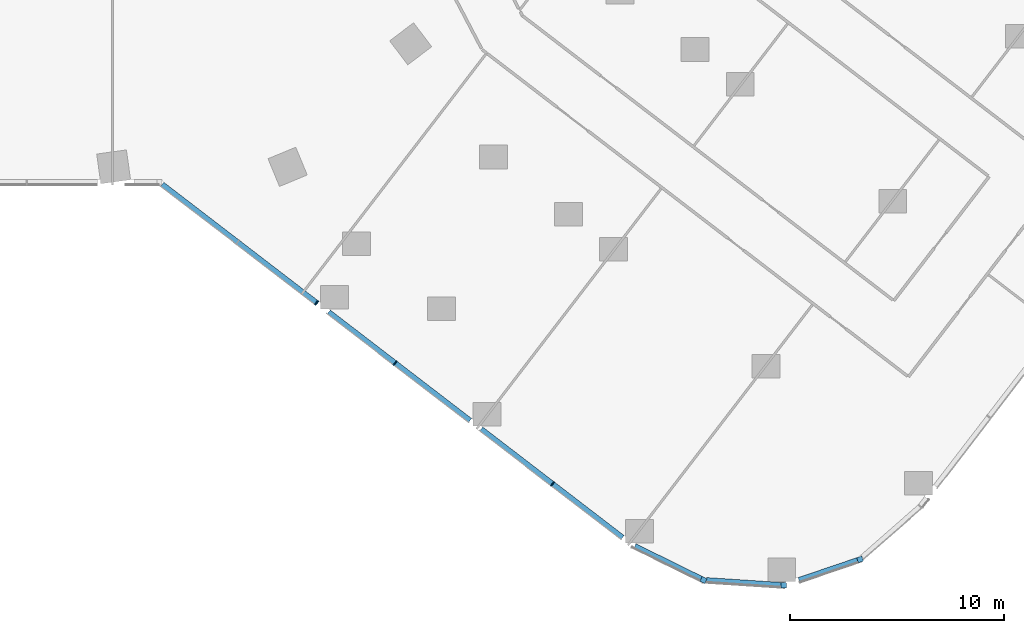
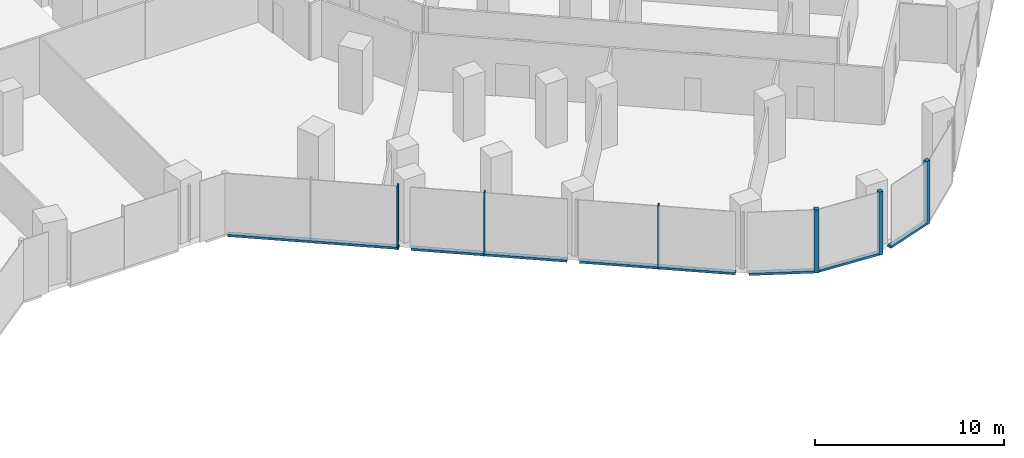
# One storey, part 6 of 29: 12 members, 4 elements without a shape of their own.
"""IFC4 building model written with IfcOpenShell, lengths in metres."""

from ifc_helpers import new_model, si_unit, direction, frame, origin, origin_2d, place, context, subcontext, project, spatial, rectangle, extrude, material, material_profile, profile_set, type_object, element, aggregate, save


model = new_model("IFC4")

# Units and contexts
model_context = context("Model", 3, precision=1e-05, world=origin(), true_north=direction((0.0, 1.0)))
body_context = subcontext(model_context, "Body", "Model", "MODEL_VIEW")
ifc_project = project(units=[si_unit("LENGTHUNIT", "METRE"), si_unit("AREAUNIT", "SQUARE_METRE"), si_unit("VOLUMEUNIT", "CUBIC_METRE"), si_unit("PLANEANGLEUNIT", "RADIAN"), si_unit("MASSUNIT", "GRAM", prefix="KILO")], contexts=[model_context])

# Site, building, storey
site_placement = place(None, origin())
site = spatial("IfcSite", under=ifc_project, at=site_placement, CompositionType="ELEMENT")
building_placement = place(site_placement, origin())
building = spatial("IfcBuilding", under=site, at=building_placement, Name="Orlundy Tower", CompositionType="ELEMENT")
storey_placement = place(building_placement, frame((0.0, 0.0, 29.199951171875)))
storey = spatial("IfcBuildingStorey", under=building, at=storey_placement, Name="L05", CompositionType="ELEMENT", Elevation=29.199951171875)

# Curtain wall, member
ifc_material_1 = material(Name="Aluminium bronze anodised", Category="aluminium")
curtain_wall_type = type_object("IfcCurtainWallType", Name="CW2 wall", PredefinedType="NOTDEFINED", material=ifc_material_1)
curtain_wall_1_placement = place(storey_placement, origin())
curtain_wall_1 = element("IfcCurtainWall", 1, at=curtain_wall_1_placement, inside=storey, type_object=curtain_wall_type, Name="CW2 run 025", PredefinedType="NOTDEFINED")
ifc_material_2 = material(Name="Aluminium bronze anodised", Category="aluminium")
ifc_material_profile_1 = material_profile(ifc_material_2, rectangle(XDim=0.25, YDim=0.25, at=origin_2d()), Name="CW2 corner post 250x250")
ifc_profile_set_1 = profile_set([ifc_material_profile_1], Name="Aluminium bronze anodised")
member_type_1 = type_object("IfcMemberType", Name="CW2 corner post 250x250", PredefinedType="MULLION", material=ifc_profile_set_1)
member_1_placement = place(storey_placement, frame((38.8828125, -47.71435546875, -0.39990234375), z_axis=(0.0, 0.0, 1.0), x_axis=(0.321564171921, -0.946887788144, 0.0)))
member_1 = element("IfcMember", 2, at=member_1_placement, type_object=member_type_1, Name="CW2 mullion 66", PredefinedType="MULLION", context=body_context, shape_type="SweptSolid", body=[
    extrude(rectangle(XDim=0.25, YDim=0.25, at=origin_2d()), origin(), (0.0, 0.0, 1.0), 4.079833984375),
])

curtain_wall_2_placement = place(storey_placement, origin())
curtain_wall_2 = element("IfcCurtainWall", 3, at=curtain_wall_2_placement, inside=storey, type_object=curtain_wall_type, Name="CW2 run 026", PredefinedType="NOTDEFINED")
member_2_placement = place(storey_placement, frame((35.32568359375, -48.92236328125, -0.39990234375), z_axis=(0.0, 0.0, 1.0), x_axis=(-0.065552133657, -0.9978491458, 0.0)))
member_2 = element("IfcMember", 4, at=member_2_placement, type_object=member_type_1, Name="CW2 mullion 67", PredefinedType="MULLION", context=body_context, shape_type="SweptSolid", body=[
    extrude(rectangle(XDim=0.25, YDim=0.25, at=origin_2d()), origin(), (0.0, 0.0, 1.0), 4.079833984375),
])

curtain_wall_3_placement = place(storey_placement, origin())
curtain_wall_3 = element("IfcCurtainWall", 5, at=curtain_wall_3_placement, inside=storey, type_object=curtain_wall_type, Name="CW2 run 027", PredefinedType="NOTDEFINED")
member_3_placement = place(storey_placement, frame((31.576904296875, -48.676025390625, -0.39990234375), z_axis=(0.0, 0.0, 1.0), x_axis=(-0.442241939743, -0.896895794801, 0.0)))
member_3 = element("IfcMember", 6, at=member_3_placement, type_object=member_type_1, Name="CW2 mullion 68", PredefinedType="MULLION", context=body_context, shape_type="SweptSolid", body=[
    extrude(rectangle(XDim=0.25, YDim=0.25, at=origin_2d()), origin(), (0.0, 0.0, 1.0), 4.079833984375),
])

# Curtain wall, members
curtain_wall_4_placement = place(storey_placement, origin())
curtain_wall_4 = element("IfcCurtainWall", 7, at=curtain_wall_4_placement, inside=storey, type_object=curtain_wall_type, Name="CW2 run 00", PredefinedType="NOTDEFINED")
ifc_material_3 = material(Name="Aluminium bronze anodised", Category="aluminium")
ifc_material_profile_2 = material_profile(ifc_material_3, rectangle(XDim=0.25, YDim=0.050048828125, at=origin_2d()), Name="CW2 mullion 50x250")
ifc_profile_set_2 = profile_set([ifc_material_profile_2], Name="Aluminium bronze anodised")
member_type_2 = type_object("IfcMemberType", Name="CW2 mullion 50x250", PredefinedType="MULLION", material=ifc_profile_set_2)
member_4_placement = place(storey_placement, frame((24.5361328125, -44.194091796875, -0.39990234375), z_axis=(0.0, 0.0, 1.0), x_axis=(-0.60875715215, -0.793356622022, 0.0)))
member_4 = element("IfcMember", 8, at=member_4_placement, type_object=member_type_2, Name="CW2 mullion 2", PredefinedType="MULLION", context=body_context, shape_type="SweptSolid", body=[
    extrude(rectangle(XDim=0.25, YDim=0.050048828125, at=origin_2d()), origin(), (0.0, 0.0, 1.0), 4.079833984375),
])
member_5_placement = place(storey_placement, frame((17.1884765625, -38.55615234375, -0.39990234375), z_axis=(0.0, 0.0, 1.0), x_axis=(-0.60875715215, -0.793356622022, 0.0)))
member_5 = element("IfcMember", 9, at=member_5_placement, type_object=member_type_2, Name="CW2 mullion 4", PredefinedType="MULLION", context=body_context, shape_type="SweptSolid", body=[
    extrude(rectangle(XDim=0.25, YDim=0.050048828125, at=origin_2d()), origin(), (0.0, 0.0, 1.0), 4.079833984375),
])
member_6_placement = place(storey_placement, frame((13.5146484375, -35.737060546875, -0.39990234375), z_axis=(0.0, 0.0, 1.0), x_axis=(-0.60875715215, -0.793356622022, 0.0)))
member_6 = element("IfcMember", 10, at=member_6_placement, type_object=member_type_2, Name="CW2 mullion 5", PredefinedType="MULLION", context=body_context, shape_type="SweptSolid", body=[
    extrude(rectangle(XDim=0.25, YDim=0.050048828125, at=origin_2d()), origin(), (0.0, 0.0, 1.0), 4.079833984375),
])
ifc_material_4 = material(Name="Aluminium bronze anodised", Category="aluminium")
ifc_material_profile_3 = material_profile(ifc_material_4, rectangle(XDim=0.25, YDim=0.14990234375, at=origin_2d()), Name="CW2 transom 250x150")
ifc_profile_set_3 = profile_set([ifc_material_profile_3], Name="Aluminium bronze anodised")
member_type_3 = type_object("IfcMemberType", Name="CW2 transom 250x150", PredefinedType="USERDEFINED", material=ifc_profile_set_3)
member_7_placement = place(storey_placement, frame((27.798095703125, -46.697021484375, -0.324951171875), z_axis=(-0.793361797933, 0.608750406636, 0.0), x_axis=(-0.608750406636, -0.793361797933, 0.0)))
member_7 = element("IfcMember", 11, at=member_7_placement, type_object=member_type_3, Name="CW2 transom", ObjectType="TRANSOM", PredefinedType="USERDEFINED", context=body_context, shape_type="SweptSolid", body=[
    extrude(rectangle(XDim=0.25, YDim=0.14990234375, at=origin_2d()), origin(), (0.0, 0.0, 1.0), 8.30908203125),
])
member_8_placement = place(storey_placement, frame((20.68408203125, -41.238525390625, -0.324951171875), z_axis=(-0.793344305907, 0.608773202666, 0.0), x_axis=(-0.608773202666, -0.793344305907, 0.0)))
member_8 = element("IfcMember", 12, at=member_8_placement, type_object=member_type_3, Name="CW2 transom", ObjectType="TRANSOM", PredefinedType="USERDEFINED", context=body_context, shape_type="SweptSolid", body=[
    extrude(rectangle(XDim=0.25, YDim=0.14990234375, at=origin_2d()), origin(), (0.0, 0.0, 1.0), 8.3095703125),
])
member_9_placement = place(storey_placement, frame((13.571044921875, -35.780517578125, -0.324951171875), z_axis=(-0.793352862871, 0.608762051194, 0.0), x_axis=(-0.608762051194, -0.793352862871, 0.0)))
member_9 = element("IfcMember", 13, at=member_9_placement, type_object=member_type_3, Name="CW2 transom", ObjectType="TRANSOM", PredefinedType="USERDEFINED", context=body_context, shape_type="SweptSolid", body=[
    extrude(rectangle(XDim=0.25, YDim=0.14990234375, at=origin_2d()), origin(), (0.0, 0.0, 1.0), 9.132568359375),
])
aggregate(curtain_wall_4, [member_4, member_5, member_6, member_7, member_8, member_9])

# Member
member_10_placement = place(storey_placement, frame((38.764404296875, -47.754638671875, -0.324951171875), z_axis=(-0.946892278069, -0.321550950448, 0.0), x_axis=(0.321550950448, -0.946892278069, 0.0)))
member_10 = element("IfcMember", 14, at=member_10_placement, type_object=member_type_3, Name="CW2 transom", ObjectType="TRANSOM", PredefinedType="USERDEFINED", context=body_context, shape_type="SweptSolid", body=[
    extrude(rectangle(XDim=0.25, YDim=0.14990234375, at=origin_2d()), origin(), (0.0, 0.0, 1.0), 2.88671875),
])

aggregate(curtain_wall_1, [member_1, member_10])

member_11_placement = place(storey_placement, frame((35.200927734375, -48.9140625, -0.324951171875), z_axis=(-0.997852911306, 0.065494789084, 0.0), x_axis=(-0.065494789084, -0.997852911306, 0.0)))
member_11 = element("IfcMember", 15, at=member_11_placement, type_object=member_type_3, Name="CW2 transom", ObjectType="TRANSOM", PredefinedType="USERDEFINED", context=body_context, shape_type="SweptSolid", body=[
    extrude(rectangle(XDim=0.25, YDim=0.14990234375, at=origin_2d()), origin(), (0.0, 0.0, 1.0), 3.49658203125),
])

aggregate(curtain_wall_2, [member_2, member_11])

member_12_placement = place(storey_placement, frame((31.46484375, -48.620849609375, -0.324951171875), z_axis=(-0.896879340897, 0.44227530778, 0.0), x_axis=(-0.44227530778, -0.896879340897, 0.0)))
member_12 = element("IfcMember", 16, at=member_12_placement, type_object=member_type_3, Name="CW2 transom", ObjectType="TRANSOM", PredefinedType="USERDEFINED", context=body_context, shape_type="SweptSolid", body=[
    extrude(rectangle(XDim=0.25, YDim=0.14990234375, at=origin_2d()), origin(), (0.0, 0.0, 1.0), 3.445556640625),
])

aggregate(curtain_wall_3, [member_3, member_12])

save(model, "model.ifc")
